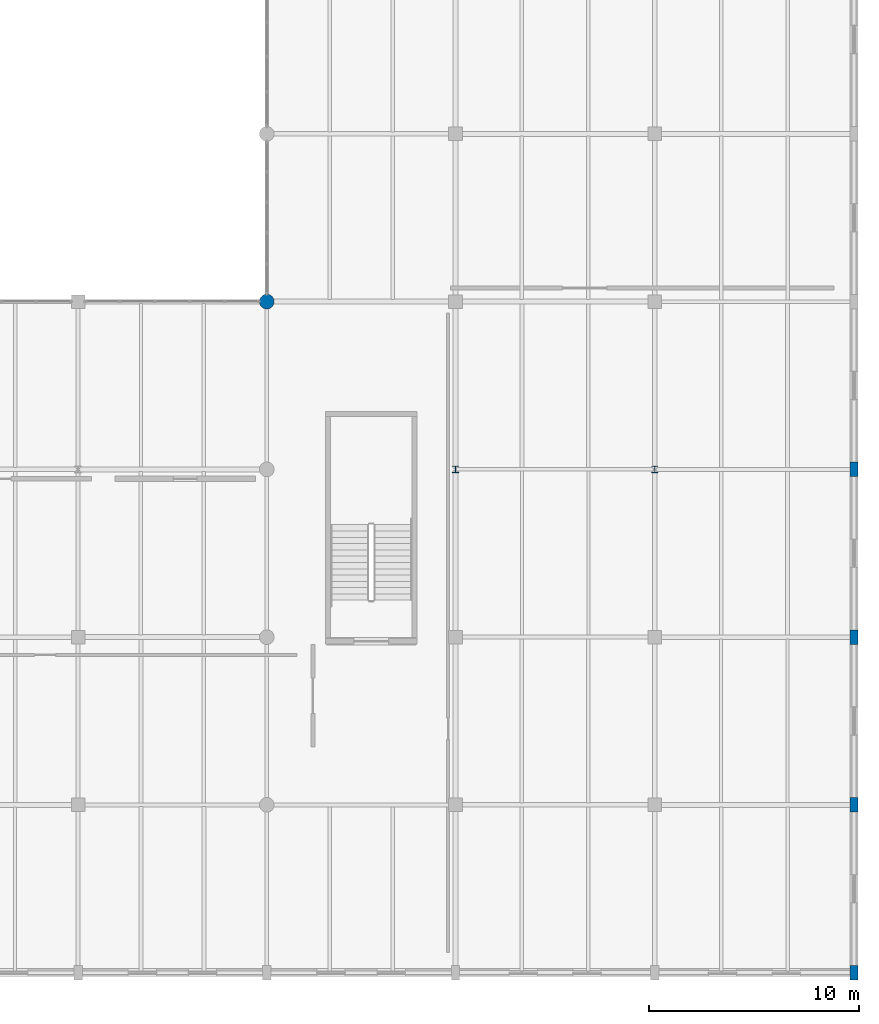
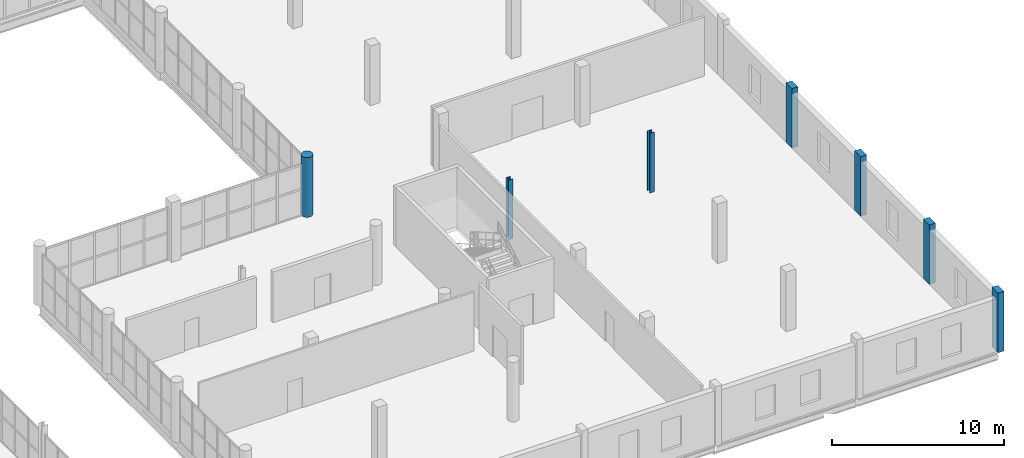
# One storey, part 16 of 85: 7 columns.
"""IFC4 building model written with IfcOpenShell, lengths in metres."""

from ifc_helpers import new_model, si_unit, direction, frame, origin, origin_2d, place, context, subcontext, project, spatial, rectangle, circle, i_section, extrude, material, material_profile, profile_set, type_object, element, save


model = new_model("IFC4")

# Units and contexts
model_context = context("Model", 3, precision=1e-05, world=origin(), true_north=direction((0.0, 1.0)))
body_context = subcontext(model_context, "Body", "Model", "MODEL_VIEW")
ifc_project = project(units=[si_unit("LENGTHUNIT", "METRE"), si_unit("AREAUNIT", "SQUARE_METRE"), si_unit("VOLUMEUNIT", "CUBIC_METRE"), si_unit("PLANEANGLEUNIT", "RADIAN"), si_unit("MASSUNIT", "GRAM", prefix="KILO")], contexts=[model_context])

# Site, building, storey
site_placement = place(None, origin())
site = spatial("IfcSite", under=ifc_project, at=site_placement, CompositionType="ELEMENT")
building_placement = place(site_placement, origin())
building = spatial("IfcBuilding", under=site, at=building_placement, Name="Marnock Terrace Opera House", CompositionType="ELEMENT")
storey_placement = place(building_placement, frame((0.0, 0.0, 10.199951171875)))
storey = spatial("IfcBuildingStorey", under=building, at=storey_placement, Name="L02", CompositionType="ELEMENT", Elevation=10.199951171875)

# Columns
ifc_material_1 = material(Name="Concrete N40 (f'c = 40 MPa)", Category="concrete")
ifc_material_profile_1 = material_profile(ifc_material_1, circle(Radius=0.35009765625, at=origin_2d()))
ifc_profile_set_1 = profile_set([ifc_material_profile_1], Name="Concrete N40 (f'c = 40 MPa)")
column_type_1 = type_object("IfcColumnType", Name="COL-LOGGIA-700", PredefinedType="COLUMN", material=ifc_profile_set_1)
column_placement = place(storey_placement, frame((136.0, 40.0, 0.0), z_axis=(0.0, 0.0, 1.0), x_axis=(1.0, 0.0, 0.0)))
element("IfcColumn", 1, at=column_placement, inside=storey, type_object=column_type_1, Name="L02 column at (136.0, 40.0)", PredefinedType="COLUMN", context=body_context, shape_type="SweptSolid", body=[
    extrude(circle(Radius=0.35009765625, at=origin_2d()), origin(), (0.0, 0.0, 1.0), 4.239990234375),
])
ifc_material_profile_2 = material_profile(ifc_material_1, rectangle(XDim=0.39990234375, YDim=0.699951171875, at=origin_2d()))
ifc_profile_set_2 = profile_set([ifc_material_profile_2], Name="Concrete N40 (f'c = 40 MPa)")
column_type_2 = type_object("IfcColumnType", Name="COL-PIL-700", PredefinedType="PILASTER", material=ifc_profile_set_2)
for number, where, z_axis, x_axis, name in (
    (2, (164.0, 8.0, 0.0), (0.0, 0.0, 1.0), (1.0, 0.0, 0.0), "L02 column at (164.0, 8.0)"),
    (3, (164.0, 16.0, 0.0), (0.0, 0.0, 1.0), (1.0, 0.0, 0.0), "L02 column at (164.0, 16.0)"),
    (4, (164.0, 24.0, 0.0), (0.0, 0.0, 1.0), (1.0, 0.0, 0.0), "L02 column at (164.0, 24.0)"),
    (5, (164.0, 32.0, 0.0), (0.0, 0.0, 1.0), (1.0, 0.0, 0.0), "L02 column at (164.0, 32.0)"),
):
    element("IfcColumn", number, at=place(storey_placement, frame(where, z_axis=z_axis, x_axis=x_axis)), inside=storey, type_object=column_type_2, Name=name, PredefinedType="PILASTER", context=body_context, shape_type="SweptSolid", body=[
        extrude(rectangle(XDim=0.39990234375, YDim=0.699951171875, at=origin_2d()), origin(), (0.0, 0.0, 1.0), 4.239990234375),
    ])
ifc_material_2 = material(Name="Steel Grade 350 (AS/NZS 3679.1)", Category="steel")
ifc_material_profile_3 = material_profile(ifc_material_2, i_section(OverallWidth=0.306884765625, OverallDepth=0.314697265625, WebThickness=0.011962890625, FlangeThickness=0.018798828125, FilletRadius=0.0166015625, at=origin_2d()))
ifc_profile_set_3 = profile_set([ifc_material_profile_3], Name="Steel Grade 350 (AS/NZS 3679.1)")
column_type_3 = type_object("IfcColumnType", Name="COL-UC310C", PredefinedType="COLUMN", material=ifc_profile_set_3)
for number, where, z_axis, x_axis, name in (
    (6, (145.0, 32.0, 0.0), (0.0, 0.0, 1.0), (1.0, 0.0, 0.0), "L02 column at (145.0, 32.0)"),
    (7, (154.5, 32.0, 0.0), (0.0, 0.0, 1.0), (1.0, 0.0, 0.0), "L02 column at (154.5, 32.0)"),
):
    element("IfcColumn", number, at=place(storey_placement, frame(where, z_axis=z_axis, x_axis=x_axis)), inside=storey, type_object=column_type_3, Name=name, PredefinedType="COLUMN", context=body_context, shape_type="SweptSolid", body=[
        extrude(i_section(OverallWidth=0.306884765625, OverallDepth=0.314697265625, WebThickness=0.011962890625, FlangeThickness=0.018798828125, FilletRadius=0.0166015625, at=origin_2d()), origin(), (0.0, 0.0, 1.0), 4.239990234375),
    ])

save(model, "model.ifc")
